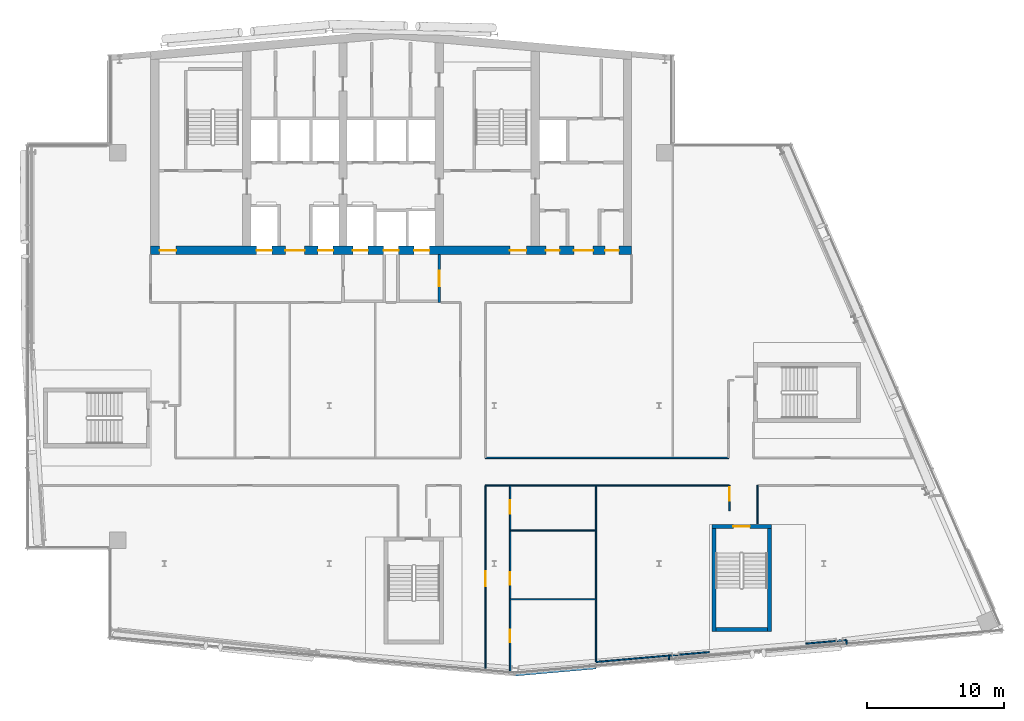
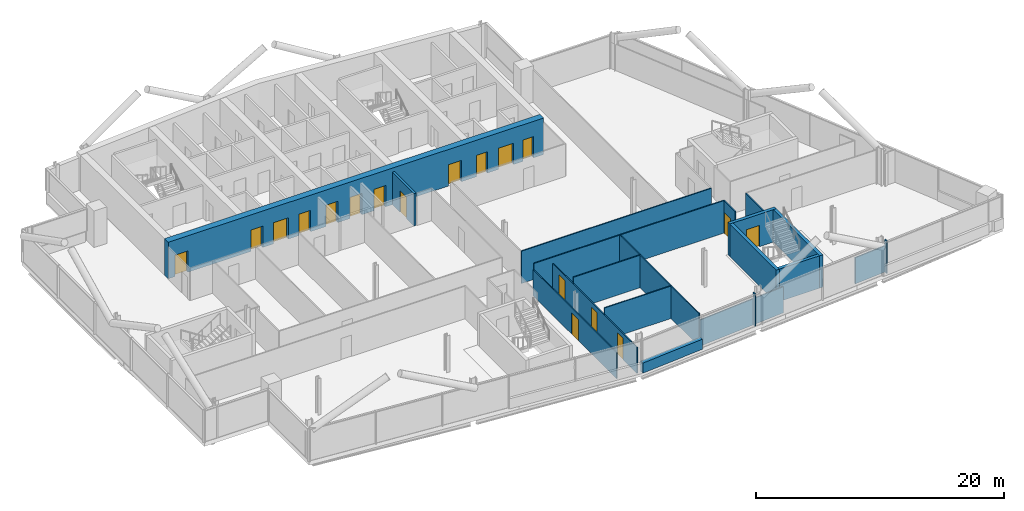
# One storey, part 16 of 26: 21 walls, 18 doors, 18 openings.
"""IFC4 building model written with IfcOpenShell, lengths in metres."""

from ifc_helpers import new_model, si_unit, direction, frame, frame_2d, origin, place, context, subcontext, project, spatial, rectangle, extrude, material, layer, layer_set, type_object, element, fill, save


model = new_model("IFC4")

# Units and contexts
model_context = context("Model", 3, precision=1e-05, world=origin(), true_north=direction((0.0, 1.0)))
body_context = subcontext(model_context, "Body", "Model", "MODEL_VIEW")
ifc_project = project(units=[si_unit("LENGTHUNIT", "METRE"), si_unit("AREAUNIT", "SQUARE_METRE"), si_unit("VOLUMEUNIT", "CUBIC_METRE"), si_unit("PLANEANGLEUNIT", "RADIAN"), si_unit("MASSUNIT", "GRAM", prefix="KILO")], contexts=[model_context])

# Site, building, storey
site_placement = place(None, origin())
site = spatial("IfcSite", under=ifc_project, at=site_placement, CompositionType="ELEMENT")
building_placement = place(site_placement, origin())
building = spatial("IfcBuilding", under=site, at=building_placement, Name="Wharfspan Tower", CompositionType="ELEMENT")
storey_placement = place(building_placement, frame((0.0, 0.0, 217.899902)))
storey = spatial("IfcBuildingStorey", under=building, at=storey_placement, Name="L54", CompositionType="ELEMENT", Elevation=217.899902)

# Wall
ifc_material_1 = material(Name="Gypsum board on steel studs", Category="steel")
ifc_layer_1 = layer(ifc_material_1, 0.100098)
ifc_layer_set_1 = layer_set([ifc_layer_1], Name="Gypsum board on steel studs")
wall_type_1 = type_object("IfcWallType", Name="Compartment wall 100 EI 60", PredefinedType="PARTITIONING", material=ifc_layer_set_1)
wall_1_placement = place(storey_placement, frame((47.360107, 19.199951, 0.0), z_axis=(0.0, 0.0, 1.0), x_axis=(1.0, 0.0, 0.0)))
element("IfcWall", 1, at=wall_1_placement, inside=storey, type_object=wall_type_1, Name="Partition L54.w023", PredefinedType="PARTITIONING", context=body_context, shape_type="SweptSolid", body=[
    extrude(rectangle(XDim=17.709961, YDim=0.100098, at=frame_2d((8.85498, 0.0))), origin(), (0.0, 0.0, 1.0), 3.200195),
])

# Wall, opening, door
wall_2_placement = place(storey_placement, frame((47.370117, 3.700684, 0.0), z_axis=(0.0, 0.0, 1.0), x_axis=(0.0, 1.0, 0.0)))
wall_2 = element("IfcWall", 2, at=wall_2_placement, inside=storey, type_object=wall_type_1, Name="Partition L54.w025", PredefinedType="PARTITIONING", context=body_context, shape_type="SweptSolid", body=[
    extrude(rectangle(XDim=13.484375, YDim=0.100098, at=frame_2d((6.742188, 0.0))), origin(), (0.0, 0.0, 1.0), 2.580078),
])
opening_1_placement = place(wall_2_placement, frame((6.159424, 0.0, 0.0)))
opening_1 = element("IfcOpeningElement", 3, at=opening_1_placement, cuts=wall_2, Name="Opening D2-02", PredefinedType="OPENING", context=body_context, shape_type="SweptSolid", body=[
    extrude(rectangle(XDim=1.100098, YDim=2.100098, at=frame_2d((0.550049, 1.050049))), frame((0.0, 0.060059, 0.0), z_axis=(0.0, -1.0, 0.0), x_axis=(1.0, 0.0, 0.0)), (0.0, 0.0, 1.0), 0.120117),
])
ifc_material_2 = material(Name="Fire-rated timber door leaf in steel frame", Category="steel")
door_type_1 = type_object("IfcDoorType", Name="Door 1100 FD30S Left", OperationType="SINGLE_SWING_LEFT", PredefinedType="DOOR", material=ifc_material_2)
door_1_placement = place(opening_1_placement, origin())
door_1 = element("IfcDoor", 4, at=door_1_placement, inside=storey, type_object=door_type_1, Name="Door D2-02", OperationType="SINGLE_SWING_LEFT", OverallHeight=2.100098, OverallWidth=1.100098, PredefinedType="DOOR", context=body_context, shape_type="SweptSolid", body=[
    extrude(rectangle(XDim=1.100098, YDim=2.100098, at=frame_2d((0.550049, 1.050049))), frame((0.0, 0.024902, 0.0), z_axis=(0.0, -1.0, 0.0), x_axis=(1.0, 0.0, 0.0)), (0.0, 0.0, 1.0), 0.050049),
])
fill(opening_1, door_1)

# Wall
wall_3_placement = place(storey_placement, frame((47.370117, 17.185059, 0.0), z_axis=(0.0, 0.0, 1.0), x_axis=(1.0, 0.0, 0.0)))
element("IfcWall", 5, at=wall_3_placement, inside=storey, type_object=wall_type_1, Name="Partition L54.w026", PredefinedType="PARTITIONING", context=body_context, shape_type="SweptSolid", body=[
    extrude(rectangle(XDim=17.75, YDim=0.100098, at=frame_2d((8.875, 0.0))), origin(), (0.0, 0.0, 1.0), 3.200195),
])

# Wall, openings, doors
wall_4_placement = place(storey_placement, frame((49.159912, 3.543945, 0.0), z_axis=(0.0, 0.0, 1.0), x_axis=(0.0, 1.0, 0.0)))
wall_4 = element("IfcWall", 6, at=wall_4_placement, inside=storey, type_object=wall_type_1, Name="Partition L54.w027", PredefinedType="PARTITIONING", context=body_context, shape_type="SweptSolid", body=[
    extrude(rectangle(XDim=13.641113, YDim=0.100098, at=frame_2d((6.820557, 0.0))), origin(), (0.0, 0.0, 1.0), 2.580078),
])
opening_2_placement = place(wall_4_placement, frame((2.25, 0.0, 0.0)))
opening_2 = element("IfcOpeningElement", 7, at=opening_2_placement, cuts=wall_4, Name="Opening D2-01", PredefinedType="OPENING", context=body_context, shape_type="SweptSolid", body=[
    extrude(rectangle(XDim=0.899902, YDim=2.100098, at=frame_2d((0.449951, 1.050049))), frame((0.0, 0.060059, 0.0), z_axis=(0.0, -1.0, 0.0), x_axis=(1.0, 0.0, 0.0)), (0.0, 0.0, 1.0), 0.120117),
])
opening_3_placement = place(wall_4_placement, frame((6.429932, 0.0, 0.0)))
opening_3 = element("IfcOpeningElement", 8, at=opening_3_placement, cuts=wall_4, Name="Opening D2-03", PredefinedType="OPENING", context=body_context, shape_type="SweptSolid", body=[
    extrude(rectangle(XDim=0.899902, YDim=2.100098, at=frame_2d((0.449951, 1.050049))), frame((0.0, 0.060059, 0.0), z_axis=(0.0, -1.0, 0.0), x_axis=(1.0, 0.0, 0.0)), (0.0, 0.0, 1.0), 0.120117),
])
opening_4_placement = place(wall_4_placement, frame((11.584961, 0.0, 0.0)))
opening_4 = element("IfcOpeningElement", 9, at=opening_4_placement, cuts=wall_4, Name="Opening D2-04", PredefinedType="OPENING", context=body_context, shape_type="SweptSolid", body=[
    extrude(rectangle(XDim=1.0, YDim=2.100098, at=frame_2d((0.5, 1.050049))), frame((0.0, 0.060059, 0.0), z_axis=(0.0, -1.0, 0.0), x_axis=(1.0, 0.0, 0.0)), (0.0, 0.0, 1.0), 0.120117),
])
ifc_material_3 = material(Name="Timber door leaf in steel frame", Category="steel")
door_type_2 = type_object("IfcDoorType", Name="Door 1000 NOT RATED Right", OperationType="SINGLE_SWING_RIGHT", PredefinedType="DOOR", material=ifc_material_3)
door_2_placement = place(opening_4_placement, origin())
door_2 = element("IfcDoor", 10, at=door_2_placement, inside=storey, type_object=door_type_2, Name="Door D2-04", OperationType="SINGLE_SWING_RIGHT", OverallHeight=2.100098, OverallWidth=1.0, PredefinedType="DOOR", context=body_context, shape_type="SweptSolid", body=[
    extrude(rectangle(XDim=1.0, YDim=2.100098, at=frame_2d((0.5, 1.050049))), frame((0.0, 0.024902, 0.0), z_axis=(0.0, -1.0, 0.0), x_axis=(1.0, 0.0, 0.0)), (0.0, 0.0, 1.0), 0.050049),
])
fill(opening_4, door_2)
door_type_3 = type_object("IfcDoorType", Name="Door 900 NOT RATED Left", OperationType="SINGLE_SWING_LEFT", PredefinedType="DOOR", material=ifc_material_3)
door_3_placement = place(opening_2_placement, origin())
door_3 = element("IfcDoor", 11, at=door_3_placement, inside=storey, type_object=door_type_3, Name="Door D2-01", OperationType="SINGLE_SWING_LEFT", OverallHeight=2.100098, OverallWidth=0.899902, PredefinedType="DOOR", context=body_context, shape_type="SweptSolid", body=[
    extrude(rectangle(XDim=0.899902, YDim=2.100098, at=frame_2d((0.449951, 1.050049))), frame((0.0, 0.024902, 0.0), z_axis=(0.0, -1.0, 0.0), x_axis=(1.0, 0.0, 0.0)), (0.0, 0.0, 1.0), 0.050049),
])
fill(opening_2, door_3)
door_type_4 = type_object("IfcDoorType", Name="Door 900 NOT RATED Right", OperationType="SINGLE_SWING_RIGHT", PredefinedType="DOOR", material=ifc_material_3)
door_4_placement = place(opening_3_placement, origin())
door_4 = element("IfcDoor", 12, at=door_4_placement, inside=storey, type_object=door_type_4, Name="Door D2-03", OperationType="SINGLE_SWING_RIGHT", OverallHeight=2.100098, OverallWidth=0.899902, PredefinedType="DOOR", context=body_context, shape_type="SweptSolid", body=[
    extrude(rectangle(XDim=0.899902, YDim=2.100098, at=frame_2d((0.449951, 1.050049))), frame((0.0, 0.024902, 0.0), z_axis=(0.0, -1.0, 0.0), x_axis=(1.0, 0.0, 0.0)), (0.0, 0.0, 1.0), 0.050049),
])
fill(opening_3, door_4)

# Wall
wall_5_placement = place(storey_placement, frame((55.415039, 4.344971, 0.0), z_axis=(0.0, 0.0, 1.0), x_axis=(0.0, 1.0, 0.0)))
element("IfcWall", 13, at=wall_5_placement, inside=storey, type_object=wall_type_1, Name="Partition L54.w031", PredefinedType="PARTITIONING", context=body_context, shape_type="SweptSolid", body=[
    extrude(rectangle(XDim=12.850098, YDim=0.100098, at=frame_2d((6.425049, 0.0))), origin(), (0.0, 0.0, 1.0), 3.200195),
])

# Wall, opening, door
wall_6_placement = place(storey_placement, frame((65.120117, 15.346191, 0.0), z_axis=(0.0, 0.0, 1.0), x_axis=(0.0, 1.0, 0.0)))
wall_6 = element("IfcWall", 14, at=wall_6_placement, inside=storey, type_object=wall_type_1, Name="Partition L54.w039", PredefinedType="PARTITIONING", context=body_context, shape_type="SweptSolid", body=[
    extrude(rectangle(XDim=1.848877, YDim=0.100098, at=frame_2d((0.924316, 0.0))), origin(), (0.0, 0.0, 1.0), 3.200195),
])
opening_5_placement = place(wall_6_placement, frame((0.72876, 0.0, 0.0)))
opening_5 = element("IfcOpeningElement", 15, at=opening_5_placement, cuts=wall_6, Name="Opening D2-05", PredefinedType="OPENING", context=body_context, shape_type="SweptSolid", body=[
    extrude(rectangle(XDim=1.0, YDim=2.100098, at=frame_2d((0.5, 1.050049))), frame((0.0, 0.060059, 0.0), z_axis=(0.0, -1.0, 0.0), x_axis=(1.0, 0.0, 0.0)), (0.0, 0.0, 1.0), 0.120117),
])
door_type_5 = type_object("IfcDoorType", Name="Door 1000 FD30S Right", OperationType="SINGLE_SWING_RIGHT", PredefinedType="DOOR", material=ifc_material_2)
door_5_placement = place(opening_5_placement, origin())
door_5 = element("IfcDoor", 16, at=door_5_placement, inside=storey, type_object=door_type_5, Name="Door D2-05", OperationType="SINGLE_SWING_RIGHT", OverallHeight=2.100098, OverallWidth=1.0, PredefinedType="DOOR", context=body_context, shape_type="SweptSolid", body=[
    extrude(rectangle(XDim=1.0, YDim=2.100098, at=frame_2d((0.5, 1.050049))), frame((0.0, 0.024902, 0.0), z_axis=(0.0, -1.0, 0.0), x_axis=(1.0, 0.0, 0.0)), (0.0, 0.0, 1.0), 0.050049),
])
fill(opening_5, door_5)

# Wall
wall_7_placement = place(storey_placement, frame((67.169922, 14.39502, 0.0), z_axis=(0.0, 0.0, 1.0), x_axis=(0.0, 1.0, 0.0)))
element("IfcWall", 17, at=wall_7_placement, inside=storey, type_object=wall_type_1, Name="Partition L54.w043", PredefinedType="PARTITIONING", context=body_context, shape_type="SweptSolid", body=[
    extrude(rectangle(XDim=2.800049, YDim=0.100098, at=frame_2d((1.399902, 0.0))), origin(), (0.0, 0.0, 1.0), 3.200195),
])

# Wall, openings, doors
ifc_material_4 = material(Name="Concrete C50/60", Category="concrete")
ifc_layer_2 = layer(ifc_material_4, 0.600098)
ifc_layer_set_2 = layer_set([ifc_layer_2], Name="Concrete C50/60")
wall_type_2 = type_object("IfcWallType", Name="Core wall 600 C50/60", PredefinedType="SHEAR", material=ifc_layer_set_2)
wall_8_placement = place(storey_placement, frame((23.0, 34.300049, 0.0), z_axis=(0.0, 0.0, 1.0), x_axis=(1.0, 0.0, 0.0)))
wall_8 = element("IfcWall", 18, at=wall_8_placement, inside=storey, type_object=wall_type_2, Name="Core front wall L54", PredefinedType="SHEAR", context=body_context, shape_type="SweptSolid", body=[
    extrude(rectangle(XDim=35.0, YDim=0.600098, at=frame_2d((17.5, 0.0))), origin(), (0.0, 0.0, 1.0), 3.600098),
])
opening_6_placement = place(wall_8_placement, frame((0.649902, 0.0, 0.0)))
opening_6 = element("IfcOpeningElement", 19, at=opening_6_placement, cuts=wall_8, Name="Opening SV2.L54", PredefinedType="OPENING", context=body_context, shape_type="SweptSolid", body=[
    extrude(rectangle(XDim=1.199951, YDim=2.100098, at=frame_2d((0.600098, 1.050049))), frame((0.0, 0.310059, 0.0), z_axis=(0.0, -1.0, 0.0), x_axis=(1.0, 0.0, 0.0)), (0.0, 0.0, 1.0), 0.620117),
])
opening_7_placement = place(wall_8_placement, frame((7.716797, 0.0, 0.0)))
opening_7 = element("IfcOpeningElement", 20, at=opening_7_placement, cuts=wall_8, Name="Opening LD.SL1.L54", PredefinedType="OPENING", context=body_context, shape_type="SweptSolid", body=[
    extrude(rectangle(XDim=1.100098, YDim=2.100098, at=frame_2d((0.550049, 1.050049))), frame((0.0, 0.310059, 0.0), z_axis=(0.0, -1.0, 0.0), x_axis=(1.0, 0.0, 0.0)), (0.0, 0.0, 1.0), 0.620117),
])
opening_8_placement = place(wall_8_placement, frame((12.18335, 0.0, 0.0)))
opening_8 = element("IfcOpeningElement", 21, at=opening_8_placement, cuts=wall_8, Name="Opening LD.SL2.L54", PredefinedType="OPENING", context=body_context, shape_type="SweptSolid", body=[
    extrude(rectangle(XDim=1.100098, YDim=2.100098, at=frame_2d((0.550049, 1.050049))), frame((0.0, 0.310059, 0.0), z_axis=(0.0, -1.0, 0.0), x_axis=(1.0, 0.0, 0.0)), (0.0, 0.0, 1.0), 0.620117),
])
opening_9_placement = place(wall_8_placement, frame((9.800049, 0.0, 0.0)))
opening_9 = element("IfcOpeningElement", 22, at=opening_9_placement, cuts=wall_8, Name="Opening HD54.3", PredefinedType="OPENING", context=body_context, shape_type="SweptSolid", body=[
    extrude(rectangle(XDim=1.399902, YDim=2.100098, at=frame_2d((0.699951, 1.050049))), frame((0.0, 0.310059, 0.0), z_axis=(0.0, -1.0, 0.0), x_axis=(1.0, 0.0, 0.0)), (0.0, 0.0, 1.0), 0.620117),
])
opening_10_placement = place(wall_8_placement, frame((14.716797, 0.0, 0.0)))
opening_10 = element("IfcOpeningElement", 23, at=opening_10_placement, cuts=wall_8, Name="Opening LD.FF1.L54", PredefinedType="OPENING", context=body_context, shape_type="SweptSolid", body=[
    extrude(rectangle(XDim=1.100098, YDim=2.100098, at=frame_2d((0.550049, 1.050049))), frame((0.0, 0.310059, 0.0), z_axis=(0.0, -1.0, 0.0), x_axis=(1.0, 0.0, 0.0)), (0.0, 0.0, 1.0), 0.620117),
])
opening_11_placement = place(wall_8_placement, frame((16.949951, 0.0, 0.0)))
opening_11 = element("IfcOpeningElement", 24, at=opening_11_placement, cuts=wall_8, Name="Opening LD.LB7.L54", PredefinedType="OPENING", context=body_context, shape_type="SweptSolid", body=[
    extrude(rectangle(XDim=1.100098, YDim=2.100098, at=frame_2d((0.550049, 1.050049))), frame((0.0, 0.310059, 0.0), z_axis=(0.0, -1.0, 0.0), x_axis=(1.0, 0.0, 0.0)), (0.0, 0.0, 1.0), 0.620117),
])
opening_12_placement = place(wall_8_placement, frame((19.18335, 0.0, 0.0)))
opening_12 = element("IfcOpeningElement", 25, at=opening_12_placement, cuts=wall_8, Name="Opening LD.FF2.L54", PredefinedType="OPENING", context=body_context, shape_type="SweptSolid", body=[
    extrude(rectangle(XDim=1.100098, YDim=2.100098, at=frame_2d((0.550049, 1.050049))), frame((0.0, 0.310059, 0.0), z_axis=(0.0, -1.0, 0.0), x_axis=(1.0, 0.0, 0.0)), (0.0, 0.0, 1.0), 0.620117),
])
opening_13_placement = place(wall_8_placement, frame((26.149902, 0.0, 0.0)))
opening_13 = element("IfcOpeningElement", 26, at=opening_13_placement, cuts=wall_8, Name="Opening SV5.L54", PredefinedType="OPENING", context=body_context, shape_type="SweptSolid", body=[
    extrude(rectangle(XDim=1.199951, YDim=2.100098, at=frame_2d((0.600098, 1.050049))), frame((0.0, 0.310059, 0.0), z_axis=(0.0, -1.0, 0.0), x_axis=(1.0, 0.0, 0.0)), (0.0, 0.0, 1.0), 0.620117),
])
opening_14_placement = place(wall_8_placement, frame((28.766602, 0.0, 0.0)))
opening_14 = element("IfcOpeningElement", 27, at=opening_14_placement, cuts=wall_8, Name="Opening CD54.6F1", PredefinedType="OPENING", context=body_context, shape_type="SweptSolid", body=[
    extrude(rectangle(XDim=1.0, YDim=2.100098, at=frame_2d((0.5, 1.050049))), frame((0.0, 0.310059, 0.0), z_axis=(0.0, -1.0, 0.0), x_axis=(1.0, 0.0, 0.0)), (0.0, 0.0, 1.0), 0.620117),
])
opening_15_placement = place(wall_8_placement, frame((33.083252, 0.0, 0.0)))
opening_15 = element("IfcOpeningElement", 28, at=opening_15_placement, cuts=wall_8, Name="Opening CD54.6F3", PredefinedType="OPENING", context=body_context, shape_type="SweptSolid", body=[
    extrude(rectangle(XDim=1.0, YDim=2.100098, at=frame_2d((0.5, 1.050049))), frame((0.0, 0.310059, 0.0), z_axis=(0.0, -1.0, 0.0), x_axis=(1.0, 0.0, 0.0)), (0.0, 0.0, 1.0), 0.620117),
])
opening_16_placement = place(wall_8_placement, frame((30.800049, 0.0, 0.0)))
opening_16 = element("IfcOpeningElement", 29, at=opening_16_placement, cuts=wall_8, Name="Opening HD54.6", PredefinedType="OPENING", context=body_context, shape_type="SweptSolid", body=[
    extrude(rectangle(XDim=1.399902, YDim=2.100098, at=frame_2d((0.699951, 1.050049))), frame((0.0, 0.310059, 0.0), z_axis=(0.0, -1.0, 0.0), x_axis=(1.0, 0.0, 0.0)), (0.0, 0.0, 1.0), 0.620117),
])
ifc_material_5 = material(Name="Steel door leaf", Category="steel")
door_type_6 = type_object("IfcDoorType", Name="Core room door 1000x2100", OperationType="SINGLE_SWING_LEFT", PredefinedType="DOOR", material=ifc_material_5)
door_6_placement = place(opening_14_placement, origin())
door_6 = element("IfcDoor", 30, at=door_6_placement, inside=storey, type_object=door_type_6, Name="d:L54:6:fd6.1", OperationType="SINGLE_SWING_LEFT", OverallHeight=2.100098, OverallWidth=1.0, PredefinedType="DOOR", context=body_context, shape_type="SweptSolid", body=[
    extrude(rectangle(XDim=1.0, YDim=2.100098, at=frame_2d((0.5, 1.050049))), frame((0.0, 0.024902, 0.0), z_axis=(0.0, -1.0, 0.0), x_axis=(1.0, 0.0, 0.0)), (0.0, 0.0, 1.0), 0.050049),
])
fill(opening_14, door_6)
door_7_placement = place(opening_15_placement, origin())
door_7 = element("IfcDoor", 31, at=door_7_placement, inside=storey, type_object=door_type_6, Name="d:L54:6:fd6.3", OperationType="SINGLE_SWING_LEFT", OverallHeight=2.100098, OverallWidth=1.0, PredefinedType="DOOR", context=body_context, shape_type="SweptSolid", body=[
    extrude(rectangle(XDim=1.0, YDim=2.100098, at=frame_2d((0.5, 1.050049))), frame((0.0, 0.024902, 0.0), z_axis=(0.0, -1.0, 0.0), x_axis=(1.0, 0.0, 0.0)), (0.0, 0.0, 1.0), 0.050049),
])
fill(opening_15, door_7)
door_type_7 = type_object("IfcDoorType", Name="Hall entry door 1400x2100", OperationType="DOUBLE_DOOR_SINGLE_SWING", PredefinedType="DOOR", material=ifc_material_5)
door_8_placement = place(opening_9_placement, origin())
door_8 = element("IfcDoor", 32, at=door_8_placement, inside=storey, type_object=door_type_7, Name="d:L54:3:hd3", OperationType="DOUBLE_DOOR_SINGLE_SWING", OverallHeight=2.100098, OverallWidth=1.399902, PredefinedType="DOOR", context=body_context, shape_type="SweptSolid", body=[
    extrude(rectangle(XDim=1.399902, YDim=2.100098, at=frame_2d((0.699951, 1.050049))), frame((0.0, 0.024902, 0.0), z_axis=(0.0, -1.0, 0.0), x_axis=(1.0, 0.0, 0.0)), (0.0, 0.0, 1.0), 0.050049),
])
fill(opening_9, door_8)
door_9_placement = place(opening_16_placement, origin())
door_9 = element("IfcDoor", 33, at=door_9_placement, inside=storey, type_object=door_type_7, Name="d:L54:6:hd6", OperationType="DOUBLE_DOOR_SINGLE_SWING", OverallHeight=2.100098, OverallWidth=1.399902, PredefinedType="DOOR", context=body_context, shape_type="SweptSolid", body=[
    extrude(rectangle(XDim=1.399902, YDim=2.100098, at=frame_2d((0.699951, 1.050049))), frame((0.0, 0.024902, 0.0), z_axis=(0.0, -1.0, 0.0), x_axis=(1.0, 0.0, 0.0)), (0.0, 0.0, 1.0), 0.050049),
])
fill(opening_16, door_9)
ifc_material_6 = material(Name="Stainless steel", Category="steel")
door_type_8 = type_object("IfcDoorType", Name="Lift landing door 1100x2100", OperationType="DOUBLE_DOOR_SLIDING", PredefinedType="DOOR", material=ifc_material_6)
door_10_placement = place(opening_7_placement, origin())
door_10 = element("IfcDoor", 34, at=door_10_placement, inside=storey, type_object=door_type_8, Name="Landing door SL1 L54", OperationType="DOUBLE_DOOR_SLIDING", OverallHeight=2.100098, OverallWidth=1.100098, PredefinedType="DOOR", context=body_context, shape_type="SweptSolid", body=[
    extrude(rectangle(XDim=1.100098, YDim=2.100098, at=frame_2d((0.550049, 1.050049))), frame((0.0, 0.024902, 0.0), z_axis=(0.0, -1.0, 0.0), x_axis=(1.0, 0.0, 0.0)), (0.0, 0.0, 1.0), 0.050049),
])
fill(opening_7, door_10)
door_11_placement = place(opening_8_placement, origin())
door_11 = element("IfcDoor", 35, at=door_11_placement, inside=storey, type_object=door_type_8, Name="Landing door SL2 L54", OperationType="DOUBLE_DOOR_SLIDING", OverallHeight=2.100098, OverallWidth=1.100098, PredefinedType="DOOR", context=body_context, shape_type="SweptSolid", body=[
    extrude(rectangle(XDim=1.100098, YDim=2.100098, at=frame_2d((0.550049, 1.050049))), frame((0.0, 0.024902, 0.0), z_axis=(0.0, -1.0, 0.0), x_axis=(1.0, 0.0, 0.0)), (0.0, 0.0, 1.0), 0.050049),
])
fill(opening_8, door_11)
door_12_placement = place(opening_10_placement, origin())
door_12 = element("IfcDoor", 36, at=door_12_placement, inside=storey, type_object=door_type_8, Name="Landing door FF1 L54", OperationType="DOUBLE_DOOR_SLIDING", OverallHeight=2.100098, OverallWidth=1.100098, PredefinedType="DOOR", context=body_context, shape_type="SweptSolid", body=[
    extrude(rectangle(XDim=1.100098, YDim=2.100098, at=frame_2d((0.550049, 1.050049))), frame((0.0, 0.024902, 0.0), z_axis=(0.0, -1.0, 0.0), x_axis=(1.0, 0.0, 0.0)), (0.0, 0.0, 1.0), 0.050049),
])
fill(opening_10, door_12)
door_13_placement = place(opening_11_placement, origin())
door_13 = element("IfcDoor", 37, at=door_13_placement, inside=storey, type_object=door_type_8, Name="Landing door LB7 L54", OperationType="DOUBLE_DOOR_SLIDING", OverallHeight=2.100098, OverallWidth=1.100098, PredefinedType="DOOR", context=body_context, shape_type="SweptSolid", body=[
    extrude(rectangle(XDim=1.100098, YDim=2.100098, at=frame_2d((0.550049, 1.050049))), frame((0.0, 0.024902, 0.0), z_axis=(0.0, -1.0, 0.0), x_axis=(1.0, 0.0, 0.0)), (0.0, 0.0, 1.0), 0.050049),
])
fill(opening_11, door_13)
door_14_placement = place(opening_12_placement, origin())
door_14 = element("IfcDoor", 38, at=door_14_placement, inside=storey, type_object=door_type_8, Name="Landing door FF2 L54", OperationType="DOUBLE_DOOR_SLIDING", OverallHeight=2.100098, OverallWidth=1.100098, PredefinedType="DOOR", context=body_context, shape_type="SweptSolid", body=[
    extrude(rectangle(XDim=1.100098, YDim=2.100098, at=frame_2d((0.550049, 1.050049))), frame((0.0, 0.024902, 0.0), z_axis=(0.0, -1.0, 0.0), x_axis=(1.0, 0.0, 0.0)), (0.0, 0.0, 1.0), 0.050049),
])
fill(opening_12, door_14)
door_type_9 = type_object("IfcDoorType", Name="Stair door 1200x2100", OperationType="SINGLE_SWING_LEFT", PredefinedType="DOOR", material=ifc_material_5)
door_15_placement = place(opening_6_placement, origin())
door_15 = element("IfcDoor", 39, at=door_15_placement, inside=storey, type_object=door_type_9, Name="vd:L54:2", OperationType="SINGLE_SWING_LEFT", OverallHeight=2.100098, OverallWidth=1.199951, PredefinedType="DOOR", context=body_context, shape_type="SweptSolid", body=[
    extrude(rectangle(XDim=1.199951, YDim=2.100098, at=frame_2d((0.600098, 1.050049))), frame((0.0, 0.024902, 0.0), z_axis=(0.0, -1.0, 0.0), x_axis=(1.0, 0.0, 0.0)), (0.0, 0.0, 1.0), 0.050049),
])
fill(opening_6, door_15)
door_16_placement = place(opening_13_placement, origin())
door_16 = element("IfcDoor", 40, at=door_16_placement, inside=storey, type_object=door_type_9, Name="vd:L54:5", OperationType="SINGLE_SWING_LEFT", OverallHeight=2.100098, OverallWidth=1.199951, PredefinedType="DOOR", context=body_context, shape_type="SweptSolid", body=[
    extrude(rectangle(XDim=1.199951, YDim=2.100098, at=frame_2d((0.600098, 1.050049))), frame((0.0, 0.024902, 0.0), z_axis=(0.0, -1.0, 0.0), x_axis=(1.0, 0.0, 0.0)), (0.0, 0.0, 1.0), 0.050049),
])
fill(opening_13, door_16)

# Wall, opening, door
ifc_material_7 = material(Name="Concrete C30/37", Category="concrete")
ifc_layer_3 = layer(ifc_material_7, 0.199951)
ifc_layer_set_3 = layer_set([ifc_layer_3], Name="Concrete C30/37")
wall_type_3 = type_object("IfcWallType", Name="Lobby wall 200", PredefinedType="PARTITIONING", material=ifc_layer_set_3)
wall_9_placement = place(storey_placement, frame((44.0, 30.5, 0.0), z_axis=(0.0, 0.0, 1.0), x_axis=(0.0, 1.0, 0.0)))
wall_9 = element("IfcWall", 41, at=wall_9_placement, inside=storey, type_object=wall_type_3, Name="sw:L54:FLFF2E", PredefinedType="PARTITIONING", context=body_context, shape_type="SweptSolid", body=[
    extrude(rectangle(XDim=3.5, YDim=0.199951, at=frame_2d((1.75, 0.0))), origin(), (0.0, 0.0, 1.0), 3.200195),
])
opening_17_placement = place(wall_9_placement, frame((1.199951, 0.0, 0.0)))
opening_17 = element("IfcOpeningElement", 42, at=opening_17_placement, cuts=wall_9, Name="Opening FL.FF2.L54", PredefinedType="OPENING", context=body_context, shape_type="SweptSolid", body=[
    extrude(rectangle(XDim=1.100098, YDim=2.100098, at=frame_2d((0.550049, 1.050049))), frame((0.0, 0.109863, 0.0), z_axis=(0.0, -1.0, 0.0), x_axis=(1.0, 0.0, 0.0)), (0.0, 0.0, 1.0), 0.219971),
])
door_type_10 = type_object("IfcDoorType", Name="Firefighting lobby door 1100x2100", OperationType="SINGLE_SWING_LEFT", PredefinedType="DOOR", material=ifc_material_5)
door_17_placement = place(opening_17_placement, origin())
door_17 = element("IfcDoor", 43, at=door_17_placement, inside=storey, type_object=door_type_10, Name="fd:L54:FF2", OperationType="SINGLE_SWING_LEFT", OverallHeight=2.100098, OverallWidth=1.100098, PredefinedType="DOOR", context=body_context, shape_type="SweptSolid", body=[
    extrude(rectangle(XDim=1.100098, YDim=2.100098, at=frame_2d((0.550049, 1.050049))), frame((0.0, 0.024902, 0.0), z_axis=(0.0, -1.0, 0.0), x_axis=(1.0, 0.0, 0.0)), (0.0, 0.0, 1.0), 0.050049),
])
fill(opening_17, door_17)

# Walls
ifc_layer_4 = layer(ifc_material_1, 0.100098)
ifc_layer_set_4 = layer_set([ifc_layer_4], Name="Gypsum board on steel studs")
wall_type_4 = type_object("IfcWallType", Name="Partition 100", PredefinedType="PARTITIONING", material=ifc_layer_set_4)
for number, where, z_axis, x_axis, name in (
    (44, (49.159912, 8.905029, 0.0), (0.0, 0.0, 1.0), (1.0, 0.0, 0.0), "Partition L54.w028"),
    (45, (49.159912, 13.909912, 0.0), (0.0, 0.0, 1.0), (1.0, 0.0, 0.0), "Partition L54.w029"),
):
    element("IfcWall", number, at=place(storey_placement, frame(where, z_axis=z_axis, x_axis=x_axis)), inside=storey, type_object=wall_type_4, Name=name, PredefinedType="PARTITIONING", context=body_context, shape_type="SweptSolid", body=[
        extrude(rectangle(XDim=6.255127, YDim=0.100098, at=frame_2d((3.127441, 0.0))), origin(), (0.0, 0.0, 1.0), 3.200195),
    ])
wall_10_placement = place(storey_placement, frame((55.415039, 4.340088, 0.0), z_axis=(0.0, 0.0, 1.0), x_axis=(0.996159, 0.087534, 0.0)))
element("IfcWall", 46, at=wall_10_placement, inside=storey, type_object=wall_type_4, Name="Partition L54.w030", PredefinedType="PARTITIONING", context=body_context, shape_type="SweptSolid", body=[
    extrude(rectangle(XDim=5.310303, YDim=0.100098, at=frame_2d((2.655273, 0.0))), origin(), (0.0, 0.0, 1.0), 2.580078),
])
wall_11_placement = place(storey_placement, frame((60.705078, 4.804932, 0.0), z_axis=(0.0, 0.0, 1.0), x_axis=(0.996324, 0.085692, 0.0)))
element("IfcWall", 47, at=wall_11_placement, inside=storey, type_object=wall_type_4, Name="Partition L54.w034", PredefinedType="PARTITIONING", context=body_context, shape_type="SweptSolid", body=[
    extrude(rectangle(XDim=2.95459, YDim=0.100098, at=frame_2d((1.477295, 0.0))), origin(), (0.0, 0.0, 1.0), 2.580078),
])
wall_12_placement = place(storey_placement, frame((60.73291, 4.49707, 0.0), z_axis=(0.0, 0.0, 1.0), x_axis=(-0.090037, 0.995936, 0.0)))
element("IfcWall", 48, at=wall_12_placement, inside=storey, type_object=wall_type_4, Name="Partition L54.w035", PredefinedType="PARTITIONING", context=body_context, shape_type="SweptSolid", body=[
    extrude(rectangle(XDim=0.309082, YDim=0.100098, at=frame_2d((0.154541, 0.0))), origin(), (0.0, 0.0, 1.0), 3.200195),
])
wall_13_placement = place(storey_placement, frame((70.688721, 5.676514, 0.0), z_axis=(0.0, 0.0, 1.0), x_axis=(0.996174, 0.087417, 0.0)))
element("IfcWall", 49, at=wall_13_placement, inside=storey, type_object=wall_type_4, Name="Partition L54.w045", PredefinedType="PARTITIONING", context=body_context, shape_type="SweptSolid", body=[
    extrude(rectangle(XDim=2.95752, YDim=0.100098, at=frame_2d((1.47876, 0.0))), origin(), (0.0, 0.0, 1.0), 2.580078),
])
wall_14_placement = place(storey_placement, frame((73.66333, 5.628174, 0.0), z_axis=(0.0, 0.0, 1.0), x_axis=(-0.091893, 0.995772, 0.0)))
element("IfcWall", 50, at=wall_14_placement, inside=storey, type_object=wall_type_4, Name="Partition L54.w046", PredefinedType="PARTITIONING", context=body_context, shape_type="SweptSolid", body=[
    extrude(rectangle(XDim=0.308105, YDim=0.100098, at=frame_2d((0.154053, 0.0))), origin(), (0.0, 0.0, 1.0), 3.200195),
])
ifc_material_8 = material(Name="Concrete C40/50", Category="concrete")
ifc_layer_5 = layer(ifc_material_8, 0.350098)
ifc_layer_set_5 = layer_set([ifc_layer_5], Name="Concrete C40/50")
wall_type_5 = type_object("IfcWallType", Name="SPANDREL EXPOSED CONCRETE 350", PredefinedType="SOLIDWALL", material=ifc_layer_set_5)
wall_15_placement = place(storey_placement, frame((49.54541, 3.493164, 0.0), z_axis=(0.0, 0.0, 1.0), x_axis=(0.996196, 0.087138, 0.0)))
element("IfcWall", 51, at=wall_15_placement, inside=storey, type_object=wall_type_5, Name="Spandrel upstand L54 S2 1", PredefinedType="SOLIDWALL", context=body_context, shape_type="SweptSolid", body=[
    extrude(rectangle(XDim=5.864014, YDim=0.350098, at=frame_2d((2.932129, 0.0))), origin(), (0.0, 0.0, 1.0), 1.0),
])

# Wall, opening, door
ifc_layer_6 = layer(ifc_material_8, 0.300049)
ifc_layer_set_6 = layer_set([ifc_layer_6], Name="Concrete C40/50")
wall_type_6 = type_object("IfcWallType", Name="Stair core wall 300", PredefinedType="SHEAR", material=ifc_layer_set_6)
wall_16_placement = place(storey_placement, frame((63.84375, 14.196289, 0.0), z_axis=(0.0, 0.0, 1.0), x_axis=(1.0, 0.0, 0.0)))
wall_16 = element("IfcWall", 52, at=wall_16_placement, inside=storey, type_object=wall_type_6, Name="ST5 stair enclosure wall L54", PredefinedType="SHEAR", context=body_context, shape_type="SweptSolid", body=[
    extrude(rectangle(XDim=4.350098, YDim=0.300049, at=frame_2d((2.175049, 0.0))), origin(), (0.0, 0.0, 1.0), 3.200195),
])
opening_18_placement = place(wall_16_placement, frame((1.574951, 0.0, 0.0)))
opening_18 = element("IfcOpeningElement", 53, at=opening_18_placement, cuts=wall_16, Name="Opening SD5.L54", PredefinedType="OPENING", context=body_context, shape_type="SweptSolid", body=[
    extrude(rectangle(XDim=1.199951, YDim=2.100098, at=frame_2d((0.600098, 1.050049))), frame((0.0, 0.159912, 0.0), z_axis=(0.0, -1.0, 0.0), x_axis=(1.0, 0.0, 0.0)), (0.0, 0.0, 1.0), 0.320068),
])
door_18_placement = place(opening_18_placement, origin())
door_18 = element("IfcDoor", 54, at=door_18_placement, inside=storey, type_object=door_type_9, Name="sd:L54:ST5z4", OperationType="SINGLE_SWING_RIGHT", OverallHeight=2.100098, OverallWidth=1.199951, PredefinedType="DOOR", context=body_context, shape_type="SweptSolid", body=[
    extrude(rectangle(XDim=1.199951, YDim=2.100098, at=frame_2d((0.600098, 1.050049))), frame((0.0, 0.024902, 0.0), z_axis=(0.0, -1.0, 0.0), x_axis=(1.0, 0.0, 0.0)), (0.0, 0.0, 1.0), 0.050049),
])
fill(opening_18, door_18)

# Walls
for number, where, z_axis, x_axis, name in (
    (55, (63.993896, 6.546143, 0.0), (0.0, 0.0, 1.0), (0.0, 1.0, 0.0), "ST5 stair enclosure wall L54"),
    (56, (68.043701, 6.546143, 0.0), (0.0, 0.0, 1.0), (0.0, 1.0, 0.0), "ST5 stair enclosure wall L54"),
):
    element("IfcWall", number, at=place(storey_placement, frame(where, z_axis=z_axis, x_axis=x_axis)), inside=storey, type_object=wall_type_6, Name=name, PredefinedType="SHEAR", context=body_context, shape_type="SweptSolid", body=[
        extrude(rectangle(XDim=7.5, YDim=0.300049, at=frame_2d((3.75, 0.0))), origin(), (0.0, 0.0, 1.0), 3.200195),
    ])
wall_17_placement = place(storey_placement, frame((64.143799, 6.696289, 0.0), z_axis=(0.0, 0.0, 1.0), x_axis=(1.0, 0.0, 0.0)))
element("IfcWall", 57, at=wall_17_placement, inside=storey, type_object=wall_type_6, Name="ST5 stair enclosure wall L54", PredefinedType="SHEAR", context=body_context, shape_type="SweptSolid", body=[
    extrude(rectangle(XDim=3.75, YDim=0.300049, at=frame_2d((1.875, 0.0))), origin(), (0.0, 0.0, 1.0), 3.200195),
])

save(model, "model.ifc")
